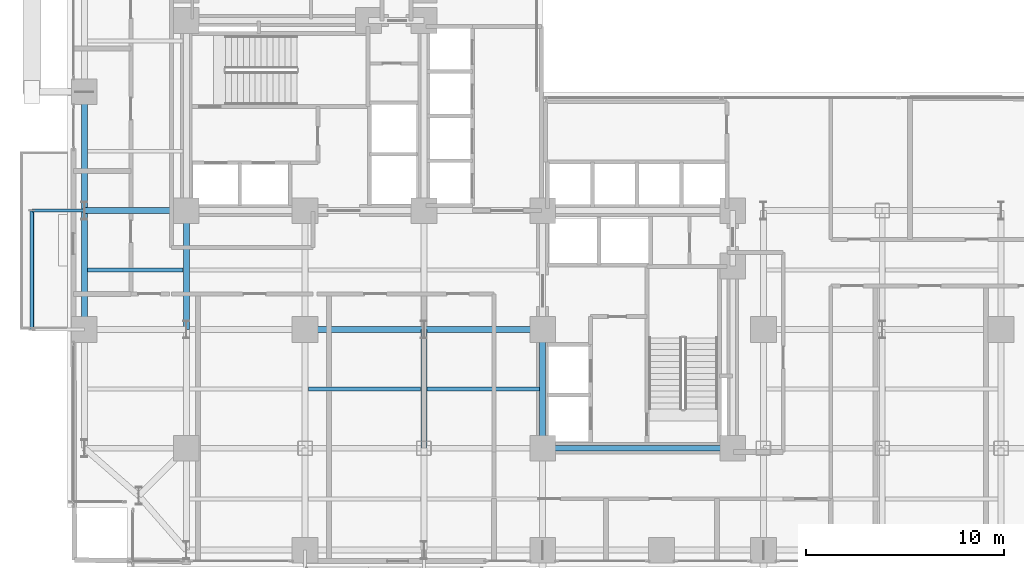
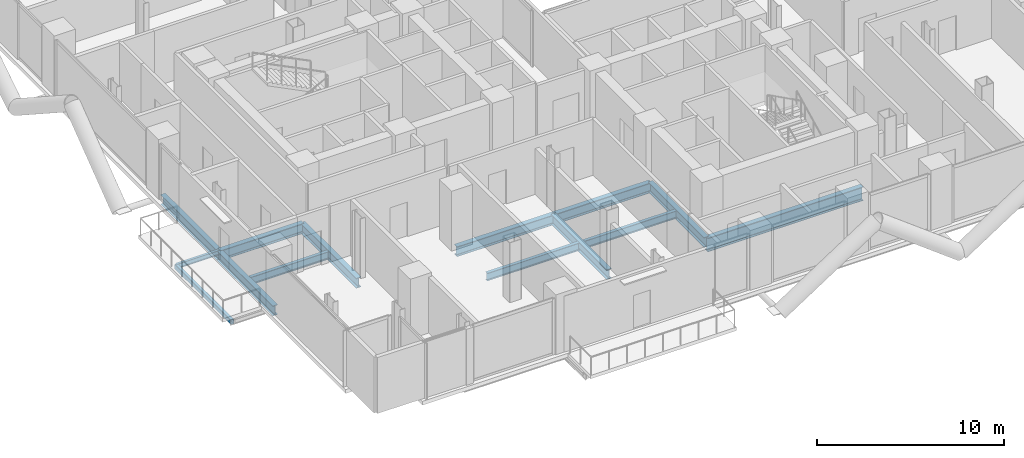
# One storey, part 4 of 25: 14 beams.
"""IFC4 building model written with IfcOpenShell, lengths in metres."""

from ifc_helpers import new_model, si_unit, direction, frame, origin, origin_2d, place, context, subcontext, project, spatial, hollow_rectangle, i_section, extrude, material, material_profile, profile_set, type_object, element, save


model = new_model("IFC4")

# Units and contexts
model_context = context("Model", 3, precision=1e-05, world=origin(), true_north=direction((0.0, 1.0)))
body_context = subcontext(model_context, "Body", "Model", "MODEL_VIEW")
ifc_project = project(units=[si_unit("LENGTHUNIT", "METRE"), si_unit("AREAUNIT", "SQUARE_METRE"), si_unit("VOLUMEUNIT", "CUBIC_METRE"), si_unit("PLANEANGLEUNIT", "RADIAN"), si_unit("MASSUNIT", "GRAM", prefix="KILO"), si_unit("THERMODYNAMICTEMPERATUREUNIT", "KELVIN"), si_unit("POWERUNIT", "WATT")], contexts=[model_context])

# Site, building, storey
site_placement = place(None, origin())
site = spatial("IfcSite", under=ifc_project, at=site_placement, CompositionType="ELEMENT")
building_placement = place(site_placement, origin())
building = spatial("IfcBuilding", under=site, at=building_placement, Name="Svarakhadi Broadcast Tower", CompositionType="ELEMENT")
storey_placement = place(building_placement, frame((0.0, 0.0, 83.10009765625)))
storey = spatial("IfcBuildingStorey", under=building, at=storey_placement, Name="L19", CompositionType="ELEMENT", Elevation=83.10009765625)

# Beams
ifc_material_1 = material(Name="Steel S355J2 (IS 2062 E350C)", Category="steel")
ifc_material_profile_1 = material_profile(ifc_material_1, i_section(OverallWidth=0.199951171875, OverallDepth=0.5, WebThickness=0.01025390625, FlangeThickness=0.01611328125, FilletRadius=0.02099609375, at=origin_2d()), Name="NPB 500x200x91")
ifc_profile_set_1 = profile_set([ifc_material_profile_1], Name="Steel S355J2 (IS 2062 E350C)")
beam_type_1 = type_object("IfcBeamType", Name="Beam_NPB500", PredefinedType="BEAM", material=ifc_profile_set_1)
beam_1_placement = place(storey_placement, frame((1.010009765625, 15.0, -0.5), z_axis=(1.0, 0.0, 0.0), x_axis=(0.0, 1.0, 0.0)))
element("IfcBeam", 1, at=beam_1_placement, inside=storey, type_object=beam_type_1, Name="L19 Secondary Composite Beam SB002", PredefinedType="BEAM", context=body_context, shape_type="SweptSolid", body=[
    extrude(i_section(OverallWidth=0.199951171875, OverallDepth=0.5, WebThickness=0.01025390625, FlangeThickness=0.01611328125, FilletRadius=0.02099609375, at=origin_2d()), origin(), (0.0, 0.0, 1.0), 4.830078125),
])
for number, where, z_axis, x_axis, name in (
    (2, (12.159912109375, 9.0, -0.5), (1.0, 0.0, 0.0), (0.0, 1.0, 0.0), "L19 Secondary Composite Beam SB014"),
    (3, (18.159912109375, 9.0, -0.5), (1.0, 0.0, 0.0), (0.0, 1.0, 0.0), "L19 Secondary Composite Beam SB020"),
):
    element("IfcBeam", number, at=place(storey_placement, frame(where, z_axis=z_axis, x_axis=x_axis)), inside=storey, type_object=beam_type_1, Name=name, PredefinedType="BEAM", context=body_context, shape_type="SweptSolid", body=[
        extrude(i_section(OverallWidth=0.199951171875, OverallDepth=0.5, WebThickness=0.01025390625, FlangeThickness=0.01611328125, FilletRadius=0.02099609375, at=origin_2d()), origin(), (0.0, 0.0, 1.0), 5.68017578125),
    ])
ifc_material_profile_2 = material_profile(ifc_material_1, i_section(OverallWidth=0.300048828125, OverallDepth=0.64990234375, WebThickness=0.01611328125, FlangeThickness=0.031005859375, FilletRadius=0.027099609375, at=origin_2d()), Name="WPB 650x300x225")
ifc_profile_set_2 = profile_set([ifc_material_profile_2], Name="Steel S355J2 (IS 2062 E350C)")
beam_type_2 = type_object("IfcBeamType", Name="Girder_WPB650", PredefinedType="USERDEFINED", material=ifc_profile_set_2)
for number, where, z_axis, x_axis, name in (
    (4, (12.0, 12.0, -0.5751953125), (1.0, 0.0, 0.0), (0.0, 1.0, 0.0), "L19 Primary E-W Girder G021"),
    (5, (18.0, 12.0, -0.5751953125), (1.0, 0.0, 0.0), (0.0, 1.0, 0.0), "L19 Primary E-W Girder G022"),
):
    element("IfcBeam", number, at=place(storey_placement, frame(where, z_axis=z_axis, x_axis=x_axis)), inside=storey, type_object=beam_type_2, Name=name, ObjectType="GIRDER", PredefinedType="USERDEFINED", context=body_context, shape_type="SweptSolid", body=[
        extrude(i_section(OverallWidth=0.300048828125, OverallDepth=0.64990234375, WebThickness=0.01611328125, FlangeThickness=0.031005859375, FilletRadius=0.027099609375, at=origin_2d()), origin(), (0.0, 0.0, 1.0), 6.0),
    ])
beam_2_placement = place(storey_placement, frame((0.85009765625, 18.0, -0.5751953125), z_axis=(1.0, 0.0, 0.0), x_axis=(0.0, 1.0, 0.0)))
element("IfcBeam", 6, at=beam_2_placement, inside=storey, type_object=beam_type_2, Name="L19 Primary E-W Girder G025", ObjectType="GIRDER", PredefinedType="USERDEFINED", context=body_context, shape_type="SweptSolid", body=[
    extrude(i_section(OverallWidth=0.300048828125, OverallDepth=0.64990234375, WebThickness=0.01611328125, FlangeThickness=0.031005859375, FilletRadius=0.027099609375, at=origin_2d()), origin(), (0.0, 0.0, 1.0), 5.14990234375),
])
for number, where, z_axis, x_axis, name in (
    (7, (0.85009765625, 12.0, -0.5751953125), (0.0, 1.0, 0.0), (-1.0, 0.0, 0.0), "L19 Primary N-S Girder G046"),
    (8, (0.85009765625, 18.0, -0.5751953125), (0.0, 1.0, 0.0), (-1.0, 0.0, 0.0), "L19 Primary N-S Girder G047"),
    (9, (6.0, 12.0, -0.5751953125), (0.0, 1.0, 0.0), (-1.0, 0.0, 0.0), "L19 Primary N-S Girder G053"),
    (10, (18.0, 6.0, -0.5751953125), (0.0, 1.0, 0.0), (-1.0, 0.0, 0.0), "L19 Primary N-S Girder G065"),
    (11, (24.0, 6.0, -0.5751953125), (0.0, 1.0, 0.0), (-1.0, 0.0, 0.0), "L19 Primary N-S Girder G072"),
):
    element("IfcBeam", number, at=place(storey_placement, frame(where, z_axis=z_axis, x_axis=x_axis)), inside=storey, type_object=beam_type_2, Name=name, ObjectType="GIRDER", PredefinedType="USERDEFINED", context=body_context, shape_type="SweptSolid", body=[
        extrude(i_section(OverallWidth=0.300048828125, OverallDepth=0.64990234375, WebThickness=0.01611328125, FlangeThickness=0.031005859375, FilletRadius=0.027099609375, at=origin_2d()), origin(), (0.0, 0.0, 1.0), 6.0),
    ])
ifc_material_2 = material(Name="Steel S460ML (IS 2062 E450BR)", Category="steel")
ifc_material_profile_3 = material_profile(ifc_material_2, i_section(OverallWidth=0.300048828125, OverallDepth=0.89990234375, WebThickness=0.0185546875, FlangeThickness=0.034912109375, FilletRadius=0.030029296875, at=origin_2d()), Name="WPB 900x300x291")
ifc_profile_set_3 = profile_set([ifc_material_profile_3], Name="Steel S460ML (IS 2062 E450BR)")
beam_type_3 = type_object("IfcBeamType", Name="Girder_WPB900", PredefinedType="USERDEFINED", material=ifc_profile_set_3)
beam_3_placement = place(storey_placement, frame((24.0, 6.0, -0.7001953125), z_axis=(1.0, 0.0, 0.0), x_axis=(0.0, 1.0, 0.0)))
element("IfcBeam", 12, at=beam_3_placement, inside=storey, type_object=beam_type_3, Name="L19 Primary E-W Girder G015", ObjectType="GIRDER", PredefinedType="USERDEFINED", context=body_context, shape_type="SweptSolid", body=[
    extrude(i_section(OverallWidth=0.300048828125, OverallDepth=0.89990234375, WebThickness=0.0185546875, FlangeThickness=0.034912109375, FilletRadius=0.030029296875, at=origin_2d()), origin(), (0.0, 0.0, 1.0), 9.60009765625),
])
ifc_material_profile_4 = material_profile(ifc_material_1, i_section(OverallWidth=0.14990234375, OverallDepth=0.300048828125, WebThickness=0.007080078125, FlangeThickness=0.0107421875, FilletRadius=0.014892578125, at=origin_2d()), Name="NPB 300x150x37")
ifc_profile_set_4 = profile_set([ifc_material_profile_4], Name="Steel S355J2 (IS 2062 E350C)")
beam_type_4 = type_object("IfcBeamType", Name="Spandrel_NPB300", PredefinedType="SPANDREL", material=ifc_profile_set_4)
beam_4_placement = place(storey_placement, frame((0.85009765625, 18.0, -0.400146484375), z_axis=(-1.0, 0.0, 0.0), x_axis=(0.0, -1.0, 0.0)))
element("IfcBeam", 13, at=beam_4_placement, inside=storey, type_object=beam_type_4, Name="L19 Balcony Cantilever Bracket 2B", PredefinedType="SPANDREL", context=body_context, shape_type="SweptSolid", body=[
    extrude(i_section(OverallWidth=0.14990234375, OverallDepth=0.300048828125, WebThickness=0.007080078125, FlangeThickness=0.0107421875, FilletRadius=0.014892578125, at=origin_2d()), origin(), (0.0, 0.0, 1.0), 2.650146484375),
])
ifc_material_profile_5 = material_profile(ifc_material_2, hollow_rectangle(XDim=0.199951171875, YDim=0.300048828125, WallThickness=0.012451171875, InnerFilletRadius=0.012451171875, OuterFilletRadius=0.02490234375, at=origin_2d()), Name="RHS 300x200x12.5")
ifc_profile_set_5 = profile_set([ifc_material_profile_5], Name="Steel S460ML (IS 2062 E450BR)")
beam_type_5 = type_object("IfcBeamType", Name="Spandrel_RHS300", PredefinedType="SPANDREL", material=ifc_profile_set_5)
beam_5_placement = place(storey_placement, frame((-1.800048828125, 12.0, -0.400146484375), z_axis=(0.0, 1.0, 0.0), x_axis=(-1.0, 0.0, 0.0)))
element("IfcBeam", 14, at=beam_5_placement, inside=storey, type_object=beam_type_5, Name="L19 Balcony Outer Spandrel 2F", PredefinedType="SPANDREL", context=body_context, shape_type="SweptSolid", body=[
    extrude(hollow_rectangle(XDim=0.199951171875, YDim=0.300048828125, WallThickness=0.012451171875, InnerFilletRadius=0.012451171875, OuterFilletRadius=0.02490234375, at=origin_2d()), origin(), (0.0, 0.0, 1.0), 6.0),
])

save(model, "model.ifc")
